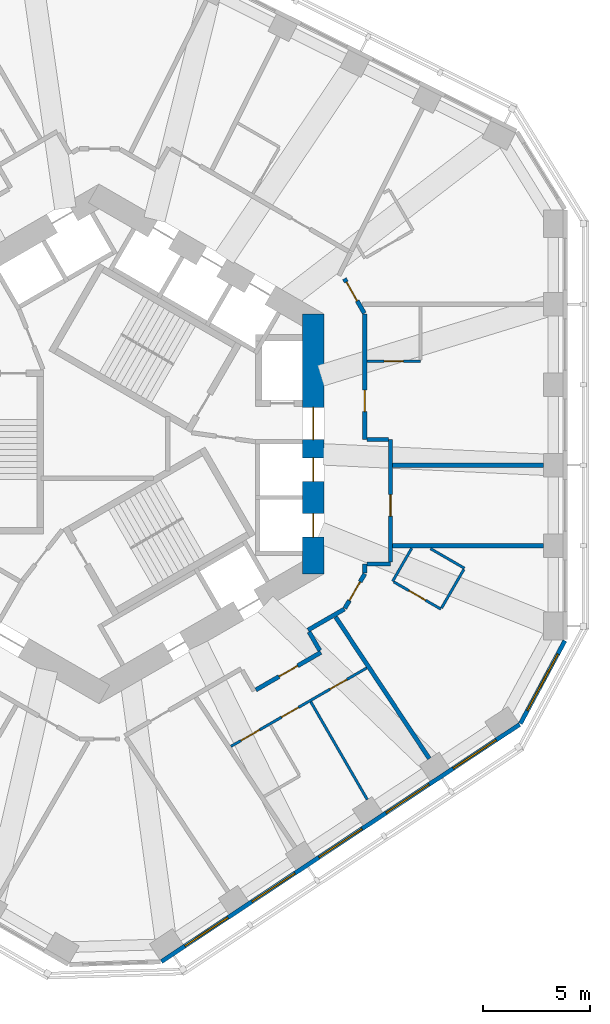
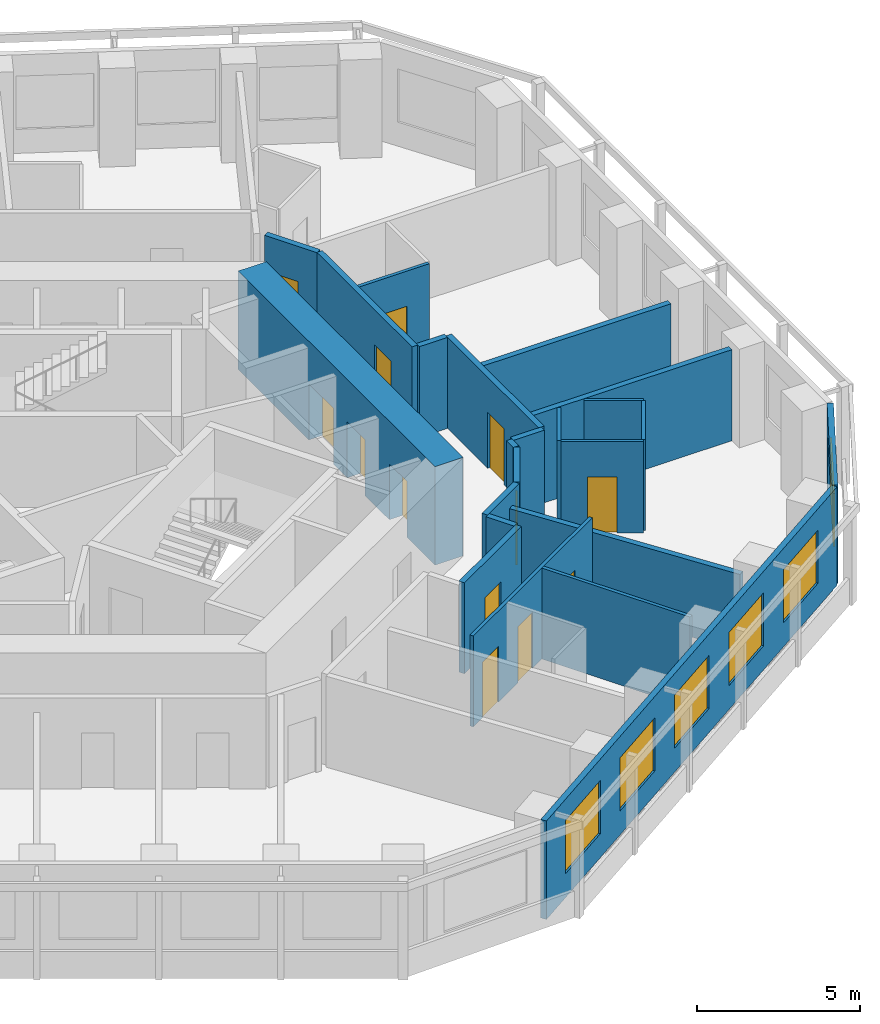
# One storey, part 6 of 11: 23 walls, 13 doors, 6 windows, 19 openings.
"""IFC4 building model written with IfcOpenShell, lengths in metres."""

from ifc_helpers import new_model, si_unit, direction, frame, frame_2d, origin, place, context, subcontext, project, spatial, rectangle, extrude, material, layer, layer_set, type_object, element, fill, save


model = new_model("IFC4")

# Units and contexts
model_context = context("Model", 3, precision=1e-05, world=origin(), true_north=direction((0.0, 1.0)))
body_context = subcontext(model_context, "Body", "Model", "MODEL_VIEW")
ifc_project = project(units=[si_unit("LENGTHUNIT", "METRE"), si_unit("AREAUNIT", "SQUARE_METRE"), si_unit("VOLUMEUNIT", "CUBIC_METRE"), si_unit("PLANEANGLEUNIT", "RADIAN"), si_unit("MASSUNIT", "GRAM", prefix="KILO")], contexts=[model_context])

# Site, building, storey
site_placement = place(None, origin())
site = spatial("IfcSite", under=ifc_project, at=site_placement, CompositionType="ELEMENT")
building_placement = place(site_placement, origin())
building = spatial("IfcBuilding", under=site, at=building_placement, Name="Vanh Sen Convention Tower", CompositionType="ELEMENT")
storey_placement = place(building_placement, frame((0.0, 0.0, 128.10009765625)))
storey = spatial("IfcBuildingStorey", under=building, at=storey_placement, Name="L31", CompositionType="ELEMENT", Elevation=128.10009765625)

# Wall, openings, doors
ifc_material_1 = material(Name="Moisture-resistant gypsum board on steel studs", Category="steel")
ifc_layer_1 = layer(ifc_material_1, 0.1201171875)
ifc_layer_set_1 = layer_set([ifc_layer_1], Name="Moisture-resistant gypsum board on steel studs")
wall_type_1 = type_object("IfcWallType", Name="Bathroom partition 120", PredefinedType="PARTITIONING", material=ifc_layer_set_1)
wall_1_placement = place(storey_placement, frame((6.151611328125, -14.116455078125, 0.0), z_axis=(0.0, 0.0, 1.0), x_axis=(0.866026788224, 0.499997602072, 0.0)))
wall_1 = element("IfcWall", 1, at=wall_1_placement, inside=storey, type_object=wall_type_1, Name="Bathroom partition 120", PredefinedType="PARTITIONING", context=body_context, shape_type="SweptSolid", body=[
    extrude(rectangle(XDim=7.322265625, YDim=0.1201171875, at=frame_2d((3.6611328125, 0.0))), origin(), (0.0, 0.0, 1.0), 3.419921875),
])
opening_1_placement = place(wall_1_placement, frame((0.550048828125, 0.0, 0.0)))
opening_1 = element("IfcOpeningElement", 2, at=opening_1_placement, cuts=wall_1, Name="Opening D30125", PredefinedType="OPENING", context=body_context, shape_type="SweptSolid", body=[
    extrude(rectangle(XDim=1.0, YDim=2.10009765625, at=frame_2d((0.5, 1.050048828125))), frame((0.0, 0.070068359375, 0.0), z_axis=(0.0, -1.0, 0.0), x_axis=(1.0, 0.0, 0.0)), (0.0, 0.0, 1.0), 0.14013671875),
])
opening_2_placement = place(wall_1_placement, frame((2.735595703125, 0.0, 0.0)))
opening_2 = element("IfcOpeningElement", 3, at=opening_2_placement, cuts=wall_1, Name="Opening D30126", PredefinedType="OPENING", context=body_context, shape_type="SweptSolid", body=[
    extrude(rectangle(XDim=0.89990234375, YDim=2.10009765625, at=frame_2d((0.449951171875, 1.050048828125))), frame((0.0, 0.070068359375, 0.0), z_axis=(0.0, -1.0, 0.0), x_axis=(1.0, 0.0, 0.0)), (0.0, 0.0, 1.0), 0.14013671875),
])
opening_3_placement = place(wall_1_placement, frame((5.3466796875, 0.0, 0.0)))
opening_3 = element("IfcOpeningElement", 4, at=opening_3_placement, cuts=wall_1, Name="Opening D30127", PredefinedType="OPENING", context=body_context, shape_type="SweptSolid", body=[
    extrude(rectangle(XDim=0.89990234375, YDim=2.10009765625, at=frame_2d((0.449951171875, 1.050048828125))), frame((0.0, 0.070068359375, 0.0), z_axis=(0.0, -1.0, 0.0), x_axis=(1.0, 0.0, 0.0)), (0.0, 0.0, 1.0), 0.14013671875),
])
ifc_material_2 = material(Name="Laminate door in steel frame", Category="steel")
door_type_1 = type_object("IfcDoorType", Name="Accessible WC door 1000", OperationType="SINGLE_SWING_LEFT", PredefinedType="DOOR", material=ifc_material_2)
door_1_placement = place(opening_1_placement, origin())
door_1 = element("IfcDoor", 5, at=door_1_placement, inside=storey, type_object=door_type_1, Name="Accessible WC door D30125", OperationType="SINGLE_SWING_LEFT", OverallHeight=2.10009765625, OverallWidth=1.0, PredefinedType="DOOR", context=body_context, shape_type="SweptSolid", body=[
    extrude(rectangle(XDim=1.0, YDim=2.10009765625, at=frame_2d((0.5, 1.050048828125))), frame((0.0, 0.02490234375, 0.0), z_axis=(0.0, -1.0, 0.0), x_axis=(1.0, 0.0, 0.0)), (0.0, 0.0, 1.0), 0.050048828125),
])
fill(opening_1, door_1)
door_type_2 = type_object("IfcDoorType", Name="Room internal door 900", OperationType="SINGLE_SWING_LEFT", PredefinedType="DOOR", material=ifc_material_2)
door_2_placement = place(opening_2_placement, origin())
door_2 = element("IfcDoor", 6, at=door_2_placement, inside=storey, type_object=door_type_2, Name="Internal room door D30126", OperationType="SINGLE_SWING_LEFT", OverallHeight=2.10009765625, OverallWidth=0.89990234375, PredefinedType="DOOR", context=body_context, shape_type="SweptSolid", body=[
    extrude(rectangle(XDim=0.89990234375, YDim=2.10009765625, at=frame_2d((0.449951171875, 1.050048828125))), frame((0.0, 0.02490234375, 0.0), z_axis=(0.0, -1.0, 0.0), x_axis=(1.0, 0.0, 0.0)), (0.0, 0.0, 1.0), 0.050048828125),
])
fill(opening_2, door_2)
door_3_placement = place(opening_3_placement, origin())
door_3 = element("IfcDoor", 7, at=door_3_placement, inside=storey, type_object=door_type_2, Name="Internal room door D30127", OperationType="SINGLE_SWING_LEFT", OverallHeight=2.10009765625, OverallWidth=0.89990234375, PredefinedType="DOOR", context=body_context, shape_type="SweptSolid", body=[
    extrude(rectangle(XDim=0.89990234375, YDim=2.10009765625, at=frame_2d((0.449951171875, 1.050048828125))), frame((0.0, 0.02490234375, 0.0), z_axis=(0.0, -1.0, 0.0), x_axis=(1.0, 0.0, 0.0)), (0.0, 0.0, 1.0), 0.050048828125),
])
fill(opening_3, door_3)

# Walls
wall_2_placement = place(storey_placement, frame((12.516845703125, -16.5986328125, 0.0), z_axis=(0.0, 0.0, 1.0), x_axis=(-0.500013727357, 0.866017478146, 0.0)))
element("IfcWall", 8, at=wall_2_placement, inside=storey, type_object=wall_type_1, Name="Bathroom partition 120", PredefinedType="PARTITIONING", context=body_context, shape_type="SweptSolid", body=[
    extrude(rectangle(XDim=5.272216796875, YDim=0.1201171875, at=frame_2d((2.63623046875, 0.0))), origin(), (0.0, 0.0, 1.0), 3.419921875),
])
wall_3_placement = place(storey_placement, frame((13.70068359375, -6.4091796875, 0.0), z_axis=(0.0, 0.0, 1.0), x_axis=(0.500078724409, 0.865979947454, 0.0)))
element("IfcWall", 9, at=wall_3_placement, inside=storey, type_object=wall_type_1, Name="Bathroom partition 120", PredefinedType="PARTITIONING", context=body_context, shape_type="SweptSolid", body=[
    extrude(rectangle(XDim=1.779541015625, YDim=0.1201171875, at=frame_2d((0.8896484375, 0.0))), origin(), (0.0, 0.0, 1.0), 3.419921875),
])

# Wall, opening, door
wall_4_placement = place(storey_placement, frame((15.0, 3.8623046875, 0.0), z_axis=(0.0, 0.0, 1.0), x_axis=(-1.0, 0.0, 0.0)))
wall_4 = element("IfcWall", 10, at=wall_4_placement, inside=storey, type_object=wall_type_1, Name="Bathroom partition 120", PredefinedType="PARTITIONING", context=body_context, shape_type="SweptSolid", body=[
    extrude(rectangle(XDim=2.5, YDim=0.1201171875, at=frame_2d((1.25, 0.0))), origin(), (0.0, 0.0, 1.0), 3.419921875),
])
opening_4_placement = place(wall_4_placement, frame((0.800048828125, 0.0, 0.0)))
opening_4 = element("IfcOpeningElement", 11, at=opening_4_placement, cuts=wall_4, Name="Opening D30103", PredefinedType="OPENING", context=body_context, shape_type="SweptSolid", body=[
    extrude(rectangle(XDim=0.89990234375, YDim=2.10009765625, at=frame_2d((0.449951171875, 1.050048828125))), frame((0.0, 0.070068359375, 0.0), z_axis=(0.0, -1.0, 0.0), x_axis=(1.0, 0.0, 0.0)), (0.0, 0.0, 1.0), 0.14013671875),
])
door_4_placement = place(opening_4_placement, origin())
door_4 = element("IfcDoor", 12, at=door_4_placement, inside=storey, type_object=door_type_2, Name="Internal room door D30103", OperationType="SINGLE_SWING_LEFT", OverallHeight=2.10009765625, OverallWidth=0.89990234375, PredefinedType="DOOR", context=body_context, shape_type="SweptSolid", body=[
    extrude(rectangle(XDim=0.89990234375, YDim=2.10009765625, at=frame_2d((0.449951171875, 1.050048828125))), frame((0.0, 0.02490234375, 0.0), z_axis=(0.0, -1.0, 0.0), x_axis=(1.0, 0.0, 0.0)), (0.0, 0.0, 1.0), 0.050048828125),
])
fill(opening_4, door_4)

# Wall
wall_5_placement = place(storey_placement, frame((15.46435546875, -4.886962890625, 0.0), z_axis=(0.0, 0.0, 1.0), x_axis=(0.866063652425, -0.499933745558, 0.0)))
element("IfcWall", 13, at=wall_5_placement, inside=storey, type_object=wall_type_1, Name="Bathroom partition 120", PredefinedType="PARTITIONING", context=body_context, shape_type="SweptSolid", body=[
    extrude(rectangle(XDim=1.833740234375, YDim=0.1201171875, at=frame_2d((0.9169921875, 0.0))), origin(), (0.0, 0.0, 1.0), 3.419921875),
])

# Wall, opening, door
wall_6_placement = place(storey_placement, frame((15.952392578125, -7.708984375, 0.0), z_axis=(0.0, 0.0, 1.0), x_axis=(-0.866063940332, 0.4999332468, 0.0)))
wall_6 = element("IfcWall", 14, at=wall_6_placement, inside=storey, type_object=wall_type_1, Name="Bathroom partition 120", PredefinedType="PARTITIONING", context=body_context, shape_type="SweptSolid", body=[
    extrude(rectangle(XDim=2.539794921875, YDim=0.1201171875, at=frame_2d((1.27001953125, 0.0))), origin(), (0.0, 0.0, 1.0), 3.419921875),
])
opening_5_placement = place(wall_6_placement, frame((0.820068359375, 0.0, 0.0)))
opening_5 = element("IfcOpeningElement", 15, at=opening_5_placement, cuts=wall_6, Name="Opening D30129", PredefinedType="OPENING", context=body_context, shape_type="SweptSolid", body=[
    extrude(rectangle(XDim=0.89990234375, YDim=2.10009765625, at=frame_2d((0.449951171875, 1.050048828125))), frame((0.0, 0.070068359375, 0.0), z_axis=(0.0, -1.0, 0.0), x_axis=(1.0, 0.0, 0.0)), (0.0, 0.0, 1.0), 0.14013671875),
])
door_5_placement = place(opening_5_placement, origin())
door_5 = element("IfcDoor", 16, at=door_5_placement, inside=storey, type_object=door_type_2, Name="Internal room door D30129", OperationType="SINGLE_SWING_LEFT", OverallHeight=2.10009765625, OverallWidth=0.89990234375, PredefinedType="DOOR", context=body_context, shape_type="SweptSolid", body=[
    extrude(rectangle(XDim=0.89990234375, YDim=2.10009765625, at=frame_2d((0.449951171875, 1.050048828125))), frame((0.0, 0.02490234375, 0.0), z_axis=(0.0, -1.0, 0.0), x_axis=(1.0, 0.0, 0.0)), (0.0, 0.0, 1.0), 0.050048828125),
])
fill(opening_5, door_5)

# Wall
wall_7_placement = place(storey_placement, frame((17.0224609375, -5.855712890625, 0.0), z_axis=(0.0, 0.0, 1.0), x_axis=(-0.500027264788, -0.866009661879, 0.0)))
element("IfcWall", 17, at=wall_7_placement, inside=storey, type_object=wall_type_1, Name="Bathroom partition 120", PredefinedType="PARTITIONING", context=body_context, shape_type="SweptSolid", body=[
    extrude(rectangle(XDim=2.080078125, YDim=0.1201171875, at=frame_2d((1.0400390625, 0.0))), origin(), (0.0, 0.0, 1.0), 3.419921875),
])

# Wall, openings, doors
ifc_material_3 = material(Name="Concrete C80/95", Category="concrete")
ifc_layer_2 = layer(ifc_material_3, 1.0)
ifc_layer_set_2 = layer_set([ifc_layer_2], Name="Concrete C80/95")
wall_type_2 = type_object("IfcWallType", Name="Core outer wall 1000 C80/95", PredefinedType="SHEAR", material=ifc_layer_set_2)
wall_8_placement = place(storey_placement, frame((10.0, -6.062255859375, 0.0), z_axis=(0.0, 0.0, 1.0), x_axis=(0.0, 1.0, 0.0)))
wall_8 = element("IfcWall", 18, at=wall_8_placement, inside=storey, type_object=wall_type_2, Name="Core wall face E L31", PredefinedType="SHEAR", context=body_context, shape_type="SweptSolid", body=[
    extrude(rectangle(XDim=12.12451171875, YDim=1.0, at=frame_2d((6.062255859375, 0.0))), origin(), (0.0, 0.0, 1.0), 3.699951171875),
])
opening_6_placement = place(wall_8_placement, frame((6.26220703125, 0.0, 0.0)))
opening_6 = element("IfcOpeningElement", 19, at=opening_6_placement, cuts=wall_8, Name="Opening D30001", PredefinedType="OPENING", context=body_context, shape_type="SweptSolid", body=[
    extrude(rectangle(XDim=1.5, YDim=2.10009765625, at=frame_2d((0.75, 1.050048828125))), frame((0.0, 0.510009765625, 0.0), z_axis=(0.0, -1.0, 0.0), x_axis=(1.0, 0.0, 0.0)), (0.0, 0.0, 1.0), 1.02001953125),
])
opening_7_placement = place(wall_8_placement, frame((1.712158203125, 0.0, 0.0)))
opening_7 = element("IfcOpeningElement", 20, at=opening_7_placement, cuts=wall_8, Name="Opening LD-LR1", PredefinedType="OPENING", context=body_context, shape_type="SweptSolid", body=[
    extrude(rectangle(XDim=1.10009765625, YDim=2.10009765625, at=frame_2d((0.550048828125, 1.050048828125))), frame((0.0, 0.510009765625, 0.0), z_axis=(0.0, -1.0, 0.0), x_axis=(1.0, 0.0, 0.0)), (0.0, 0.0, 1.0), 1.02001953125),
])
opening_8_placement = place(wall_8_placement, frame((4.312255859375, 0.0, 0.0)))
opening_8 = element("IfcOpeningElement", 21, at=opening_8_placement, cuts=wall_8, Name="Opening LD-LR2", PredefinedType="OPENING", context=body_context, shape_type="SweptSolid", body=[
    extrude(rectangle(XDim=1.10009765625, YDim=2.10009765625, at=frame_2d((0.550048828125, 1.050048828125))), frame((0.0, 0.510009765625, 0.0), z_axis=(0.0, -1.0, 0.0), x_axis=(1.0, 0.0, 0.0)), (0.0, 0.0, 1.0), 1.02001953125),
])
ifc_material_4 = material(Name="Stainless steel", Category="steel")
door_type_3 = type_object("IfcDoorType", Name="Lift landing door 1100", OperationType="DOUBLE_DOOR_SLIDING", PredefinedType="DOOR", material=ifc_material_4)
door_6_placement = place(opening_7_placement, origin())
door_6 = element("IfcDoor", 22, at=door_6_placement, inside=storey, type_object=door_type_3, Name="Lift LR1 landing door LD-LR1", OperationType="DOUBLE_DOOR_SLIDING", OverallHeight=2.10009765625, OverallWidth=1.10009765625, PredefinedType="DOOR", context=body_context, shape_type="SweptSolid", body=[
    extrude(rectangle(XDim=1.10009765625, YDim=2.10009765625, at=frame_2d((0.550048828125, 1.050048828125))), frame((0.0, 0.02490234375, 0.0), z_axis=(0.0, -1.0, 0.0), x_axis=(1.0, 0.0, 0.0)), (0.0, 0.0, 1.0), 0.050048828125),
])
fill(opening_7, door_6)
door_7_placement = place(opening_8_placement, origin())
door_7 = element("IfcDoor", 23, at=door_7_placement, inside=storey, type_object=door_type_3, Name="Lift LR2 landing door LD-LR2", OperationType="DOUBLE_DOOR_SLIDING", OverallHeight=2.10009765625, OverallWidth=1.10009765625, PredefinedType="DOOR", context=body_context, shape_type="SweptSolid", body=[
    extrude(rectangle(XDim=1.10009765625, YDim=2.10009765625, at=frame_2d((0.550048828125, 1.050048828125))), frame((0.0, 0.02490234375, 0.0), z_axis=(0.0, -1.0, 0.0), x_axis=(1.0, 0.0, 0.0)), (0.0, 0.0, 1.0), 0.050048828125),
])
fill(opening_8, door_7)
ifc_material_5 = material(Name="Steel S355", Category="steel")
door_type_4 = type_object("IfcDoorType", Name="Stair lobby door 1500", OperationType="DOUBLE_DOOR_SINGLE_SWING", PredefinedType="DOOR", material=ifc_material_5)
door_8_placement = place(opening_6_placement, origin())
door_8 = element("IfcDoor", 24, at=door_8_placement, inside=storey, type_object=door_type_4, Name="Stair lobby door D30001", OperationType="DOUBLE_DOOR_SINGLE_SWING", OverallHeight=2.10009765625, OverallWidth=1.5, PredefinedType="DOOR", context=body_context, shape_type="SweptSolid", body=[
    extrude(rectangle(XDim=1.5, YDim=2.10009765625, at=frame_2d((0.75, 1.050048828125))), frame((0.0, 0.02490234375, 0.0), z_axis=(0.0, -1.0, 0.0), x_axis=(1.0, 0.0, 0.0)), (0.0, 0.0, 1.0), 0.050048828125),
])
fill(opening_6, door_8)

# Wall, opening, door
ifc_material_6 = material(Name="Gypsum board on steel studs with mineral wool", Category="steel")
ifc_layer_3 = layer(ifc_material_6, 0.199951171875)
ifc_layer_set_3 = layer_set([ifc_layer_3], Name="Gypsum board on steel studs with mineral wool")
wall_type_3 = type_object("IfcWallType", Name="Corridor partition wall 200", PredefinedType="PARTITIONING", material=ifc_layer_set_3)
wall_9_placement = place(storey_placement, frame((7.319091796875, -11.479248046875, 0.0), z_axis=(0.0, 0.0, 1.0), x_axis=(0.866038154057, 0.49997791523, 0.0)))
wall_9 = element("IfcWall", 25, at=wall_9_placement, inside=storey, type_object=wall_type_3, Name="Corridor partition wall 200", PredefinedType="PARTITIONING", context=body_context, shape_type="SweptSolid", body=[
    extrude(rectangle(XDim=3.502197265625, YDim=0.199951171875, at=frame_2d((1.7509765625, 0.0))), origin(), (0.0, 0.0, 1.0), 3.419921875),
])
opening_9_placement = place(wall_9_placement, frame((1.2509765625, 0.0, 0.0)))
opening_9 = element("IfcOpeningElement", 26, at=opening_9_placement, cuts=wall_9, Name="Opening D30124", PredefinedType="OPENING", context=body_context, shape_type="SweptSolid", body=[
    extrude(rectangle(XDim=1.0, YDim=2.10009765625, at=frame_2d((0.5, 1.050048828125))), frame((0.0, 0.10986328125, 0.0), z_axis=(0.0, -1.0, 0.0), x_axis=(1.0, 0.0, 0.0)), (0.0, 0.0, 1.0), 0.219970703125),
])
ifc_material_7 = material(Name="Timber fire door in steel frame", Category="steel")
door_type_5 = type_object("IfcDoorType", Name="Floor room door 1000", OperationType="SINGLE_SWING_LEFT", PredefinedType="DOOR", material=ifc_material_7)
door_9_placement = place(opening_9_placement, origin())
door_9 = element("IfcDoor", 27, at=door_9_placement, inside=storey, type_object=door_type_5, Name="Meeting and amenity room door D30124", OperationType="SINGLE_SWING_LEFT", OverallHeight=2.10009765625, OverallWidth=1.0, PredefinedType="DOOR", context=body_context, shape_type="SweptSolid", body=[
    extrude(rectangle(XDim=1.0, YDim=2.10009765625, at=frame_2d((0.5, 1.050048828125))), frame((0.0, 0.02490234375, 0.0), z_axis=(0.0, -1.0, 0.0), x_axis=(1.0, 0.0, 0.0)), (0.0, 0.0, 1.0), 0.050048828125),
])
fill(opening_9, door_9)

# Walls
wall_10_placement = place(storey_placement, frame((9.751708984375, -8.688232421875, 0.0), z_axis=(0.0, 0.0, 1.0), x_axis=(0.865974105138, 0.500088841337, 0.0)))
element("IfcWall", 28, at=wall_10_placement, inside=storey, type_object=wall_type_3, Name="Corridor partition wall 200", PredefinedType="PARTITIONING", context=body_context, shape_type="SweptSolid", body=[
    extrude(rectangle(XDim=1.961181640625, YDim=0.199951171875, at=frame_2d((0.98046875, 0.0))), origin(), (0.0, 0.0, 1.0), 3.419921875),
])
wall_11_placement = place(storey_placement, frame((10.302001953125, -9.6416015625, 0.0), z_axis=(0.0, 0.0, 1.0), x_axis=(-0.500074377092, 0.865982457891, 0.0)))
element("IfcWall", 29, at=wall_11_placement, inside=storey, type_object=wall_type_3, Name="Corridor partition wall 200", PredefinedType="PARTITIONING", context=body_context, shape_type="SweptSolid", body=[
    extrude(rectangle(XDim=1.000732421875, YDim=0.199951171875, at=frame_2d((0.50048828125, 0.0))), origin(), (0.0, 0.0, 1.0), 3.419921875),
])

# Wall, opening, door
wall_12_placement = place(storey_placement, frame((11.469970703125, -7.673095703125, 0.0), z_axis=(0.0, 0.0, 1.0), x_axis=(0.499964847546, 0.866045698112, 0.0)))
wall_12 = element("IfcWall", 30, at=wall_12_placement, inside=storey, type_object=wall_type_3, Name="Corridor partition wall 200", PredefinedType="PARTITIONING", context=body_context, shape_type="SweptSolid", body=[
    extrude(rectangle(XDim=1.860107421875, YDim=0.199951171875, at=frame_2d((0.93017578125, 0.0))), origin(), (0.0, 0.0, 1.0), 3.419921875),
])
opening_10_placement = place(wall_12_placement, frame((0.429931640625, 0.0, 0.0)))
opening_10 = element("IfcOpeningElement", 31, at=opening_10_placement, cuts=wall_12, Name="Opening D30128", PredefinedType="OPENING", context=body_context, shape_type="SweptSolid", body=[
    extrude(rectangle(XDim=1.0, YDim=2.10009765625, at=frame_2d((0.5, 1.050048828125))), frame((0.0, 0.10986328125, 0.0), z_axis=(0.0, -1.0, 0.0), x_axis=(1.0, 0.0, 0.0)), (0.0, 0.0, 1.0), 0.219970703125),
])
ifc_material_8 = material(Name="Glazed fire door in steel frame", Category="steel")
door_type_6 = type_object("IfcDoorType", Name="Tenant entrance door 1000", OperationType="SINGLE_SWING_LEFT", PredefinedType="DOOR", material=ifc_material_8)
door_10_placement = place(opening_10_placement, origin())
door_10 = element("IfcDoor", 32, at=door_10_placement, inside=storey, type_object=door_type_6, Name="Tenant suite entrance door D30128", OperationType="SINGLE_SWING_LEFT", OverallHeight=2.10009765625, OverallWidth=1.0, PredefinedType="DOOR", context=body_context, shape_type="SweptSolid", body=[
    extrude(rectangle(XDim=1.0, YDim=2.10009765625, at=frame_2d((0.5, 1.050048828125))), frame((0.0, 0.02490234375, 0.0), z_axis=(0.0, -1.0, 0.0), x_axis=(1.0, 0.0, 0.0)), (0.0, 0.0, 1.0), 0.050048828125),
])
fill(opening_10, door_10)

wall_13_placement = place(storey_placement, frame((12.3798828125, 6.0966796875, 0.0), z_axis=(0.0, 0.0, 1.0), x_axis=(-0.499964847546, 0.866045698112, 0.0)))
wall_13 = element("IfcWall", 33, at=wall_13_placement, inside=storey, type_object=wall_type_3, Name="Corridor partition wall 200", PredefinedType="PARTITIONING", context=body_context, shape_type="SweptSolid", body=[
    extrude(rectangle(XDim=1.860107421875, YDim=0.199951171875, at=frame_2d((0.93017578125, 0.0))), origin(), (0.0, 0.0, 1.0), 3.419921875),
])
opening_11_placement = place(wall_13_placement, frame((0.671630859375, 0.0, 0.0)))
opening_11 = element("IfcOpeningElement", 34, at=opening_11_placement, cuts=wall_13, Name="Opening D30104", PredefinedType="OPENING", context=body_context, shape_type="SweptSolid", body=[
    extrude(rectangle(XDim=1.0, YDim=2.10009765625, at=frame_2d((0.5, 1.050048828125))), frame((0.0, 0.10986328125, 0.0), z_axis=(0.0, -1.0, 0.0), x_axis=(1.0, 0.0, 0.0)), (0.0, 0.0, 1.0), 0.219970703125),
])
door_11_placement = place(opening_11_placement, origin())
door_11 = element("IfcDoor", 35, at=door_11_placement, inside=storey, type_object=door_type_6, Name="Tenant suite entrance door D30104", OperationType="SINGLE_SWING_LEFT", OverallHeight=2.10009765625, OverallWidth=1.0, PredefinedType="DOOR", context=body_context, shape_type="SweptSolid", body=[
    extrude(rectangle(XDim=1.0, YDim=2.10009765625, at=frame_2d((0.5, 1.050048828125))), frame((0.0, 0.02490234375, 0.0), z_axis=(0.0, -1.0, 0.0), x_axis=(1.0, 0.0, 0.0)), (0.0, 0.0, 1.0), 0.050048828125),
])
fill(opening_11, door_11)

# Wall
wall_14_placement = place(storey_placement, frame((12.39990234375, -6.022216796875, 0.0), z_axis=(0.0, 0.0, 1.0), x_axis=(0.0, 1.0, 0.0)))
element("IfcWall", 36, at=wall_14_placement, inside=storey, type_object=wall_type_3, Name="Corridor partition wall 200", PredefinedType="PARTITIONING", context=body_context, shape_type="SweptSolid", body=[
    extrude(rectangle(XDim=0.421142578125, YDim=0.199951171875, at=frame_2d((0.21044921875, 0.0))), origin(), (0.0, 0.0, 1.0), 3.419921875),
])

# Wall, opening, door
wall_15_placement = place(storey_placement, frame((12.39990234375, 0.200927734375, 0.0), z_axis=(0.0, 0.0, 1.0), x_axis=(0.0, 1.0, 0.0)))
wall_15 = element("IfcWall", 37, at=wall_15_placement, inside=storey, type_object=wall_type_3, Name="Corridor partition wall 200", PredefinedType="PARTITIONING", context=body_context, shape_type="SweptSolid", body=[
    extrude(rectangle(XDim=5.861328125, YDim=0.199951171875, at=frame_2d((2.9306640625, 0.0))), origin(), (0.0, 0.0, 1.0), 3.419921875),
])
opening_12_placement = place(wall_15_placement, frame((1.3056640625, 0.0, 0.0)))
opening_12 = element("IfcOpeningElement", 38, at=opening_12_placement, cuts=wall_15, Name="Opening D30102", PredefinedType="OPENING", context=body_context, shape_type="SweptSolid", body=[
    extrude(rectangle(XDim=1.0, YDim=2.10009765625, at=frame_2d((0.5, 1.050048828125))), frame((0.0, 0.10986328125, 0.0), z_axis=(0.0, -1.0, 0.0), x_axis=(1.0, 0.0, 0.0)), (0.0, 0.0, 1.0), 0.219970703125),
])
door_12_placement = place(opening_12_placement, origin())
door_12 = element("IfcDoor", 39, at=door_12_placement, inside=storey, type_object=door_type_6, Name="Tenant suite entrance door D30102", OperationType="SINGLE_SWING_LEFT", OverallHeight=2.10009765625, OverallWidth=1.0, PredefinedType="DOOR", context=body_context, shape_type="SweptSolid", body=[
    extrude(rectangle(XDim=1.0, YDim=2.10009765625, at=frame_2d((0.5, 1.050048828125))), frame((0.0, 0.02490234375, 0.0), z_axis=(0.0, -1.0, 0.0), x_axis=(1.0, 0.0, 0.0)), (0.0, 0.0, 1.0), 0.050048828125),
])
fill(opening_12, door_12)

# Walls
wall_16_placement = place(storey_placement, frame((12.5, -5.60107421875, 0.0), z_axis=(0.0, 0.0, 1.0), x_axis=(1.0, 0.0, 0.0)))
element("IfcWall", 40, at=wall_16_placement, inside=storey, type_object=wall_type_3, Name="Corridor partition wall 200", PredefinedType="PARTITIONING", context=body_context, shape_type="SweptSolid", body=[
    extrude(rectangle(XDim=1.10107421875, YDim=0.199951171875, at=frame_2d((0.550537109375, 0.0))), origin(), (0.0, 0.0, 1.0), 3.419921875),
])
wall_17_placement = place(storey_placement, frame((13.5009765625, 0.200927734375, 0.0), z_axis=(0.0, 0.0, 1.0), x_axis=(-1.0, 0.0, 0.0)))
element("IfcWall", 41, at=wall_17_placement, inside=storey, type_object=wall_type_3, Name="Corridor partition wall 200", PredefinedType="PARTITIONING", context=body_context, shape_type="SweptSolid", body=[
    extrude(rectangle(XDim=1.0009765625, YDim=0.199951171875, at=frame_2d((0.50048828125, 0.0))), origin(), (0.0, 0.0, 1.0), 3.419921875),
])

# Wall, opening, door
wall_18_placement = place(storey_placement, frame((13.60107421875, -5.5009765625, 0.0), z_axis=(0.0, 0.0, 1.0), x_axis=(0.0, 1.0, 0.0)))
wall_18 = element("IfcWall", 42, at=wall_18_placement, inside=storey, type_object=wall_type_3, Name="Corridor partition wall 200", PredefinedType="PARTITIONING", context=body_context, shape_type="SweptSolid", body=[
    extrude(rectangle(XDim=5.701904296875, YDim=0.199951171875, at=frame_2d((2.85107421875, 0.0))), origin(), (0.0, 0.0, 1.0), 3.419921875),
])
opening_13_placement = place(wall_18_placement, frame((2.131103515625, 0.0, 0.0)))
opening_13 = element("IfcOpeningElement", 43, at=opening_13_placement, cuts=wall_18, Name="Opening D30101", PredefinedType="OPENING", context=body_context, shape_type="SweptSolid", body=[
    extrude(rectangle(XDim=1.0, YDim=2.10009765625, at=frame_2d((0.5, 1.050048828125))), frame((0.0, 0.10986328125, 0.0), z_axis=(0.0, -1.0, 0.0), x_axis=(1.0, 0.0, 0.0)), (0.0, 0.0, 1.0), 0.219970703125),
])
door_13_placement = place(opening_13_placement, origin())
door_13 = element("IfcDoor", 44, at=door_13_placement, inside=storey, type_object=door_type_6, Name="Tenant suite entrance door D30101", OperationType="SINGLE_SWING_LEFT", OverallHeight=2.10009765625, OverallWidth=1.0, PredefinedType="DOOR", context=body_context, shape_type="SweptSolid", body=[
    extrude(rectangle(XDim=1.0, YDim=2.10009765625, at=frame_2d((0.5, 1.050048828125))), frame((0.0, 0.02490234375, 0.0), z_axis=(0.0, -1.0, 0.0), x_axis=(1.0, 0.0, 0.0)), (0.0, 0.0, 1.0), 0.050048828125),
])
fill(opening_13, door_13)

# Wall, openings, windows
ifc_material_9 = material(Name="Insulated lightweight infill wall")
ifc_layer_4 = layer(ifc_material_9, 0.199951171875)
ifc_layer_set_4 = layer_set([ifc_layer_4], Name="Insulated lightweight infill wall")
wall_type_4 = type_object("IfcWallType", Name="External wall 200", PredefinedType="STANDARD", material=ifc_layer_set_4)
wall_19_placement = place(storey_placement, frame((2.910888671875, -24.156005859375, 0.0), z_axis=(0.0, 0.0, 1.0), x_axis=(0.833882163564, 0.551942512668, 0.0)))
wall_19 = element("IfcWall", 45, at=wall_19_placement, inside=storey, type_object=wall_type_4, Name="External wall SE L31", PredefinedType="STANDARD", context=body_context, shape_type="SweptSolid", body=[
    extrude(rectangle(XDim=20.043701171875, YDim=0.199951171875, at=frame_2d((10.02197265625, 0.0))), origin(), (0.0, 0.0, 1.0), 3.699951171875),
])
opening_14_placement = place(wall_19_placement, frame((1.312744140625, 0.0, 0.89990234375)))
opening_14 = element("IfcOpeningElement", 46, at=opening_14_placement, cuts=wall_19, Name="Opening WO1-SE1", PredefinedType="OPENING", context=body_context, shape_type="SweptSolid", body=[
    extrude(rectangle(XDim=2.39990234375, YDim=2.0, at=frame_2d((1.199951171875, 1.0))), frame((0.0, 0.10986328125, 0.0), z_axis=(0.0, -1.0, 0.0), x_axis=(1.0, 0.0, 0.0)), (0.0, 0.0, 1.0), 0.219970703125),
])
opening_15_placement = place(wall_19_placement, frame((5.06689453125, 0.0, 0.89990234375)))
opening_15 = element("IfcOpeningElement", 47, at=opening_15_placement, cuts=wall_19, Name="Opening WO1-SE2", PredefinedType="OPENING", context=body_context, shape_type="SweptSolid", body=[
    extrude(rectangle(XDim=2.39990234375, YDim=2.0, at=frame_2d((1.199951171875, 1.0))), frame((0.0, 0.10986328125, 0.0), z_axis=(0.0, -1.0, 0.0), x_axis=(1.0, 0.0, 0.0)), (0.0, 0.0, 1.0), 0.219970703125),
])
opening_16_placement = place(wall_19_placement, frame((8.82080078125, 0.0, 0.89990234375)))
opening_16 = element("IfcOpeningElement", 48, at=opening_16_placement, cuts=wall_19, Name="Opening WO1-SE3", PredefinedType="OPENING", context=body_context, shape_type="SweptSolid", body=[
    extrude(rectangle(XDim=2.39990234375, YDim=2.0, at=frame_2d((1.199951171875, 1.0))), frame((0.0, 0.10986328125, 0.0), z_axis=(0.0, -1.0, 0.0), x_axis=(1.0, 0.0, 0.0)), (0.0, 0.0, 1.0), 0.219970703125),
])
opening_17_placement = place(wall_19_placement, frame((12.5751953125, 0.0, 0.89990234375)))
opening_17 = element("IfcOpeningElement", 49, at=opening_17_placement, cuts=wall_19, Name="Opening WO1-SE4", PredefinedType="OPENING", context=body_context, shape_type="SweptSolid", body=[
    extrude(rectangle(XDim=2.39990234375, YDim=2.0, at=frame_2d((1.199951171875, 1.0))), frame((0.0, 0.10986328125, 0.0), z_axis=(0.0, -1.0, 0.0), x_axis=(1.0, 0.0, 0.0)), (0.0, 0.0, 1.0), 0.219970703125),
])
opening_18_placement = place(wall_19_placement, frame((16.3291015625, 0.0, 0.89990234375)))
opening_18 = element("IfcOpeningElement", 50, at=opening_18_placement, cuts=wall_19, Name="Opening WO1-SE5", PredefinedType="OPENING", context=body_context, shape_type="SweptSolid", body=[
    extrude(rectangle(XDim=2.39990234375, YDim=2.0, at=frame_2d((1.199951171875, 1.0))), frame((0.0, 0.10986328125, 0.0), z_axis=(0.0, -1.0, 0.0), x_axis=(1.0, 0.0, 0.0)), (0.0, 0.0, 1.0), 0.219970703125),
])
ifc_material_10 = material(Name="Aluminium frame with clear low-emissivity glass", Category="aluminium")
window_type_1 = type_object("IfcWindowType", Name="Office window 2400 x 2000", PartitioningType="SINGLE_PANEL", PredefinedType="WINDOW", material=ifc_material_10)
window_1_placement = place(opening_14_placement, origin())
window_1 = element("IfcWindow", 51, at=window_1_placement, inside=storey, type_object=window_type_1, Name="Window WO1-SE1", OverallHeight=2.0, OverallWidth=2.39990234375, PartitioningType="SINGLE_PANEL", PredefinedType="WINDOW", context=body_context, shape_type="SweptSolid", body=[
    extrude(rectangle(XDim=2.39990234375, YDim=2.0, at=frame_2d((1.199951171875, 1.0))), frame((0.0, 0.030029296875, 0.0), z_axis=(0.0, -1.0, 0.0), x_axis=(1.0, 0.0, 0.0)), (0.0, 0.0, 1.0), 0.06005859375),
])
fill(opening_14, window_1)
window_2_placement = place(opening_15_placement, origin())
window_2 = element("IfcWindow", 52, at=window_2_placement, inside=storey, type_object=window_type_1, Name="Window WO1-SE2", OverallHeight=2.0, OverallWidth=2.39990234375, PartitioningType="SINGLE_PANEL", PredefinedType="WINDOW", context=body_context, shape_type="SweptSolid", body=[
    extrude(rectangle(XDim=2.39990234375, YDim=2.0, at=frame_2d((1.199951171875, 1.0))), frame((0.0, 0.030029296875, 0.0), z_axis=(0.0, -1.0, 0.0), x_axis=(1.0, 0.0, 0.0)), (0.0, 0.0, 1.0), 0.06005859375),
])
fill(opening_15, window_2)
window_3_placement = place(opening_16_placement, origin())
window_3 = element("IfcWindow", 53, at=window_3_placement, inside=storey, type_object=window_type_1, Name="Window WO1-SE3", OverallHeight=2.0, OverallWidth=2.39990234375, PartitioningType="SINGLE_PANEL", PredefinedType="WINDOW", context=body_context, shape_type="SweptSolid", body=[
    extrude(rectangle(XDim=2.39990234375, YDim=2.0, at=frame_2d((1.199951171875, 1.0))), frame((0.0, 0.030029296875, 0.0), z_axis=(0.0, -1.0, 0.0), x_axis=(1.0, 0.0, 0.0)), (0.0, 0.0, 1.0), 0.06005859375),
])
fill(opening_16, window_3)
window_4_placement = place(opening_17_placement, origin())
window_4 = element("IfcWindow", 54, at=window_4_placement, inside=storey, type_object=window_type_1, Name="Window WO1-SE4", OverallHeight=2.0, OverallWidth=2.39990234375, PartitioningType="SINGLE_PANEL", PredefinedType="WINDOW", context=body_context, shape_type="SweptSolid", body=[
    extrude(rectangle(XDim=2.39990234375, YDim=2.0, at=frame_2d((1.199951171875, 1.0))), frame((0.0, 0.030029296875, 0.0), z_axis=(0.0, -1.0, 0.0), x_axis=(1.0, 0.0, 0.0)), (0.0, 0.0, 1.0), 0.06005859375),
])
fill(opening_17, window_4)
window_5_placement = place(opening_18_placement, origin())
window_5 = element("IfcWindow", 55, at=window_5_placement, inside=storey, type_object=window_type_1, Name="Window WO1-SE5", OverallHeight=2.0, OverallWidth=2.39990234375, PartitioningType="SINGLE_PANEL", PredefinedType="WINDOW", context=body_context, shape_type="SweptSolid", body=[
    extrude(rectangle(XDim=2.39990234375, YDim=2.0, at=frame_2d((1.199951171875, 1.0))), frame((0.0, 0.030029296875, 0.0), z_axis=(0.0, -1.0, 0.0), x_axis=(1.0, 0.0, 0.0)), (0.0, 0.0, 1.0), 0.06005859375),
])
fill(opening_18, window_5)

# Wall, opening, window
wall_20_placement = place(storey_placement, frame((19.657958984375, -13.05712890625, 0.0), z_axis=(0.0, 0.0, 1.0), x_axis=(0.473307879841, 0.880897071672, 0.0)))
wall_20 = element("IfcWall", 56, at=wall_20_placement, inside=storey, type_object=wall_type_4, Name="External wall CH6 L31", PredefinedType="STANDARD", context=body_context, shape_type="SweptSolid", body=[
    extrude(rectangle(XDim=4.394775390625, YDim=0.199951171875, at=frame_2d((2.197265625, 0.0))), origin(), (0.0, 0.0, 1.0), 3.699951171875),
])
opening_19_placement = place(wall_20_placement, frame((0.697509765625, 0.0, 0.89990234375)))
opening_19 = element("IfcOpeningElement", 57, at=opening_19_placement, cuts=wall_20, Name="Opening WO2-CH61", PredefinedType="OPENING", context=body_context, shape_type="SweptSolid", body=[
    extrude(rectangle(XDim=3.0, YDim=2.0, at=frame_2d((1.5, 1.0))), frame((0.0, 0.10986328125, 0.0), z_axis=(0.0, -1.0, 0.0), x_axis=(1.0, 0.0, 0.0)), (0.0, 0.0, 1.0), 0.219970703125),
])
window_type_2 = type_object("IfcWindowType", Name="Office window 3000 x 2000", PartitioningType="SINGLE_PANEL", PredefinedType="WINDOW", material=ifc_material_10)
window_6_placement = place(opening_19_placement, origin())
window_6 = element("IfcWindow", 58, at=window_6_placement, inside=storey, type_object=window_type_2, Name="Window WO2-CH61", OverallHeight=2.0, OverallWidth=3.0, PartitioningType="SINGLE_PANEL", PredefinedType="WINDOW", context=body_context, shape_type="SweptSolid", body=[
    extrude(rectangle(XDim=3.0, YDim=2.0, at=frame_2d((1.5, 1.0))), frame((0.0, 0.030029296875, 0.0), z_axis=(0.0, -1.0, 0.0), x_axis=(1.0, 0.0, 0.0)), (0.0, 0.0, 1.0), 0.06005859375),
])
fill(opening_19, window_6)

# Walls
ifc_layer_5 = layer(ifc_material_6, 0.199951171875)
ifc_layer_set_5 = layer_set([ifc_layer_5], Name="Gypsum board on steel studs with mineral wool")
wall_type_5 = type_object("IfcWallType", Name="Tenant suite wall 200", PredefinedType="PARTITIONING", material=ifc_layer_set_5)
wall_21_placement = place(storey_placement, frame((13.700927734375, -4.746826171875, 0.0), z_axis=(0.0, 0.0, 1.0), x_axis=(1.0, 0.0, 0.0)))
element("IfcWall", 59, at=wall_21_placement, inside=storey, type_object=wall_type_5, Name="Tenant suite wall 200", PredefinedType="PARTITIONING", context=body_context, shape_type="SweptSolid", body=[
    extrude(rectangle(XDim=7.049072265625, YDim=0.199951171875, at=frame_2d((3.5244140625, 0.0))), origin(), (0.0, 0.0, 1.0), 3.419921875),
])
wall_22_placement = place(storey_placement, frame((15.410888671875, -14.68310546875, 0.0), z_axis=(0.0, 0.0, 1.0), x_axis=(-0.551932106251, 0.833889051427, 0.0)))
element("IfcWall", 60, at=wall_22_placement, inside=storey, type_object=wall_type_5, Name="Tenant suite wall 200", PredefinedType="PARTITIONING", context=body_context, shape_type="SweptSolid", body=[
    extrude(rectangle(XDim=7.92626953125, YDim=0.199951171875, at=frame_2d((3.963134765625, 0.0))), origin(), (0.0, 0.0, 1.0), 2.869873046875),
])
wall_23_placement = place(storey_placement, frame((20.75, -0.992919921875, 0.0), z_axis=(0.0, 0.0, 1.0), x_axis=(-1.0, 0.0, 0.0)))
element("IfcWall", 61, at=wall_23_placement, inside=storey, type_object=wall_type_5, Name="Tenant suite wall 200", PredefinedType="PARTITIONING", context=body_context, shape_type="SweptSolid", body=[
    extrude(rectangle(XDim=7.049072265625, YDim=0.199951171875, at=frame_2d((3.5244140625, 0.0))), origin(), (0.0, 0.0, 1.0), 2.869873046875),
])

save(model, "model.ifc")
